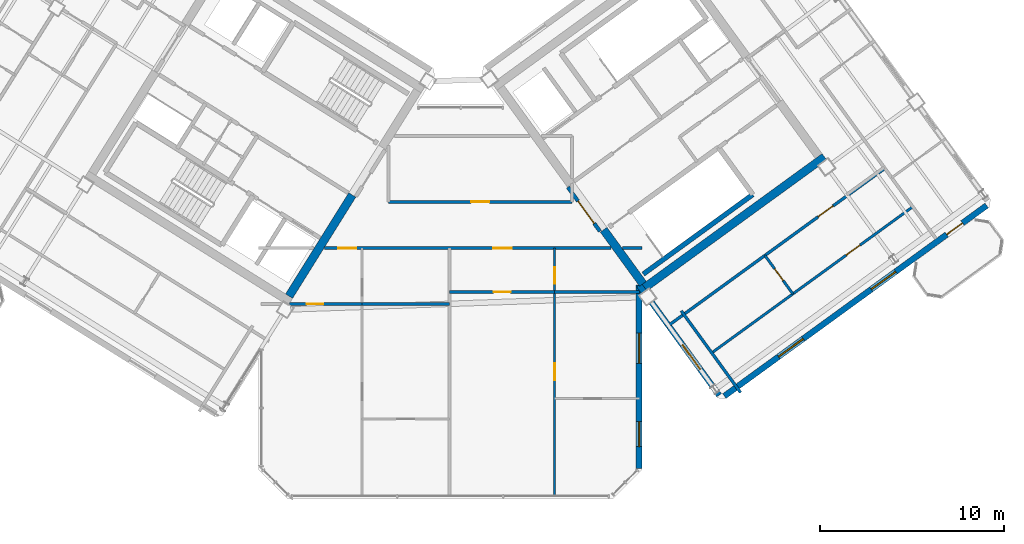
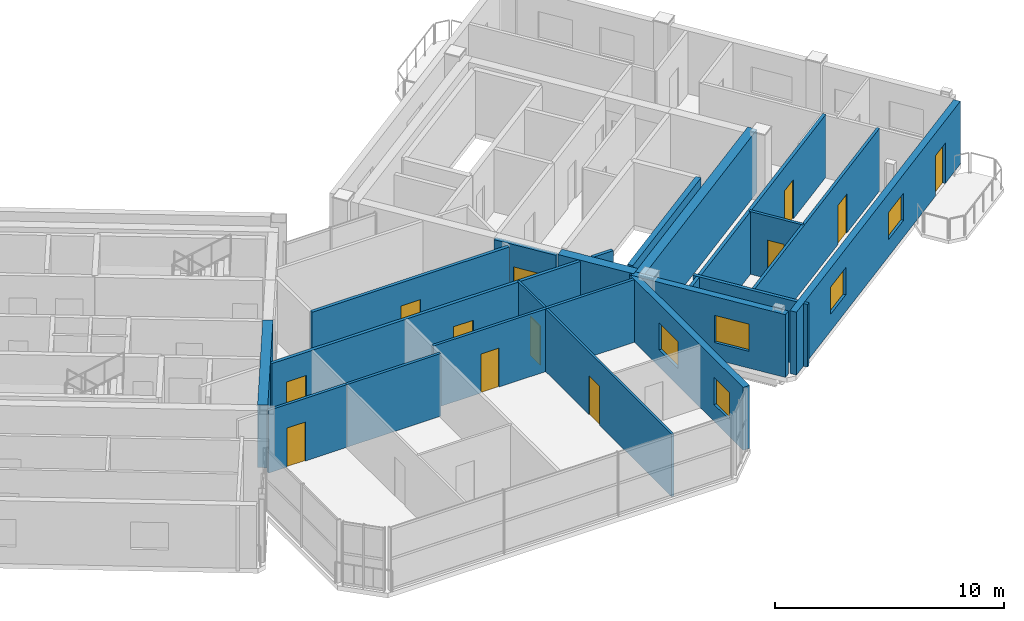
# One storey, part 19 of 25: 20 walls, 12 doors, 5 windows, 17 openings.
"""IFC4 building model written with IfcOpenShell, lengths in metres."""

from ifc_helpers import new_model, si_unit, direction, frame, frame_2d, origin, place, context, subcontext, project, spatial, rectangle, extrude, source, transform, mapped, material, layer, layer_set, type_object, element, fill, save


model = new_model("IFC4")

# Units and contexts
model_context = context("Model", 3, precision=1e-05, world=origin(), true_north=direction((0.0, 1.0)))
body_context = subcontext(model_context, "Body", "Model", "MODEL_VIEW")
ifc_project = project(units=[si_unit("LENGTHUNIT", "METRE"), si_unit("AREAUNIT", "SQUARE_METRE"), si_unit("VOLUMEUNIT", "CUBIC_METRE"), si_unit("PLANEANGLEUNIT", "RADIAN"), si_unit("MASSUNIT", "GRAM", prefix="KILO")], contexts=[model_context])

# Site, building, storey
site_placement = place(None, origin())
site = spatial("IfcSite", under=ifc_project, at=site_placement, CompositionType="ELEMENT")
building_placement = place(site_placement, origin())
building = spatial("IfcBuilding", under=site, at=building_placement, Name="Tlacorven Tower", CompositionType="ELEMENT")
storey_placement = place(building_placement, frame((0.0, 0.0, 259.199951171875)))
storey = spatial("IfcBuildingStorey", under=building, at=storey_placement, Name="L65", CompositionType="ELEMENT", Elevation=259.199951171875)

# Walls
ifc_material_1 = material(Name="Concrete C50/60", Category="concrete")
ifc_layer_1 = layer(ifc_material_1, 0.449951171875)
ifc_layer_set_1 = layer_set([ifc_layer_1], Name="Concrete C50/60")
wall_type_1 = type_object("IfcWallType", Name="WL-COR-450", PredefinedType="SHEAR", material=ifc_layer_set_1)
wall_1_placement = place(storey_placement, frame((36.683349609375, 18.30419921875, 0.0), z_axis=(0.0, 0.0, 1.0), x_axis=(-0.529904039071, -0.848057609704, 0.0)))
element("IfcWall", 1, at=wall_1_placement, inside=storey, type_object=wall_type_1, Name="L65 W core end wall E1.2", PredefinedType="SHEAR", context=body_context, shape_type="SweptSolid", body=[
    extrude(rectangle(XDim=6.47509765625, YDim=0.449951171875, at=frame_2d((3.237548828125, 0.0))), origin(), (0.0, 0.0, 1.0), 3.35009765625),
])
wall_2_placement = place(storey_placement, frame((52.3994140625, 13.169189453125, 0.0), z_axis=(0.0, 0.0, 1.0), x_axis=(0.809022352778, 0.587777877013, 0.0)))
element("IfcWall", 2, at=wall_2_placement, inside=storey, type_object=wall_type_1, Name="L65 E core shear wall S1", PredefinedType="SHEAR", context=body_context, shape_type="SweptSolid", body=[
    extrude(rectangle(XDim=12.239990234375, YDim=0.449951171875, at=frame_2d((6.1201171875, 0.0))), origin(), (0.0, 0.0, 1.0), 3.35009765625),
])
wall_3_placement = place(storey_placement, frame((52.44921875, 13.4833984375, 0.0), z_axis=(0.0, 0.0, 1.0), x_axis=(-0.587819244441, 0.808992296542, 0.0)))
element("IfcWall", 3, at=wall_3_placement, inside=storey, type_object=wall_type_1, Name="L65 E core end wall E1.1", PredefinedType="SHEAR", context=body_context, shape_type="SweptSolid", body=[
    extrude(rectangle(XDim=3.625, YDim=0.449951171875, at=frame_2d((1.8125, 0.0))), origin(), (0.0, 0.0, 1.0), 3.35009765625),
])

# Wall, openings, doors
ifc_material_2 = material(Name="Gypsum plasterboard acoustic partition", Category="gypsum")
ifc_layer_2 = layer(ifc_material_2, 0.159912109375)
ifc_layer_set_2 = layer_set([ifc_layer_2], Name="Gypsum plasterboard acoustic partition")
wall_type_2 = type_object("IfcWallType", Name="WL-DEM-160", PredefinedType="PARTITIONING", material=ifc_layer_set_2)
wall_4_placement = place(storey_placement, frame((35.178466796875, 15.419921875, 0.0), z_axis=(0.0, 0.0, 1.0), x_axis=(1.0, 0.0, 0.0)))
wall_4 = element("IfcWall", 4, at=wall_4_placement, inside=storey, type_object=wall_type_2, Name="L65 Knuckle Corridor South Wall", PredefinedType="PARTITIONING", context=body_context, shape_type="SweptSolid", body=[
    extrude(rectangle(XDim=15.55224609375, YDim=0.159912109375, at=frame_2d((7.776123046875, 0.0))), origin(), (0.0, 0.0, 1.0), 3.340087890625),
])
opening_1_placement = place(wall_4_placement, frame((0.732666015625, 0.0, 0.0)))
opening_1 = element("IfcOpeningElement", 5, at=opening_1_placement, cuts=wall_4, Name="Opening D11", PredefinedType="OPENING", context=body_context, shape_type="SweptSolid", body=[
    extrude(rectangle(XDim=1.0, YDim=2.10009765625, at=frame_2d((0.5, 1.050048828125))), frame((0.0, 0.08984375, 0.0), z_axis=(0.0, -1.0, 0.0), x_axis=(1.0, 0.0, 0.0)), (0.0, 0.0, 1.0), 0.179931640625),
])
opening_2_placement = place(wall_4_placement, frame((9.153076171875, 0.0, 0.0)))
opening_2 = element("IfcOpeningElement", 6, at=opening_2_placement, cuts=wall_4, Name="Opening D11", PredefinedType="OPENING", context=body_context, shape_type="SweptSolid", body=[
    extrude(rectangle(XDim=1.0, YDim=2.10009765625, at=frame_2d((0.5, 1.050048828125))), frame((0.0, 0.08984375, 0.0), z_axis=(0.0, -1.0, 0.0), x_axis=(1.0, 0.0, 0.0)), (0.0, 0.0, 1.0), 0.179931640625),
])
ifc_material_3 = material(Name="Fire-rated steel door assembly", Category="steel")
door_type_1 = type_object("IfcDoorType", Name="DR-FLT-FD60-1000", OperationType="NOTDEFINED", PredefinedType="DOOR", material=ifc_material_3)
shared_shape_1 = source(origin(), body_context, "Body", "SweptSolid", [
    extrude(rectangle(XDim=1.0, YDim=2.10009765625, at=frame_2d((0.5, 1.050048828125))), frame((0.0, 0.02490234375, 0.0), z_axis=(0.0, -1.0, 0.0), x_axis=(1.0, 0.0, 0.0)), (0.0, 0.0, 1.0), 0.050048828125),
])
door_1_placement = place(opening_1_placement, frame((1.0, 0.0, 0.0), z_axis=(0.0, 0.0, 1.0), x_axis=(-1.0, 0.0, 0.0)))
door_1 = element("IfcDoor", 7, at=door_1_placement, inside=storey, type_object=door_type_1, Name="L65 door 052", OperationType="SINGLE_SWING_RIGHT", OverallHeight=2.10009765625, OverallWidth=1.0, PredefinedType="DOOR", context=body_context, shape_type="MappedRepresentation", body=[
    mapped(shared_shape_1, transform((0.0, 0.0, 0.0), scale=1.0)),
])
fill(opening_1, door_1)
door_2_placement = place(opening_2_placement, frame((1.0, 0.0, 0.0), z_axis=(0.0, 0.0, 1.0), x_axis=(-1.0, 0.0, 0.0)))
door_2 = element("IfcDoor", 8, at=door_2_placement, inside=storey, type_object=door_type_1, Name="L65 door 057", OperationType="SINGLE_SWING_LEFT", OverallHeight=2.10009765625, OverallWidth=1.0, PredefinedType="DOOR", context=body_context, shape_type="MappedRepresentation", body=[
    mapped(shared_shape_1, transform((0.0, 0.0, 0.0), scale=1.0)),
])
fill(opening_2, door_2)

# Wall
wall_5_placement = place(storey_placement, frame((51.353515625, 15.419921875, 0.0), z_axis=(0.0, 0.0, 1.0), x_axis=(1.0, 0.0, 0.0)))
element("IfcWall", 9, at=wall_5_placement, inside=storey, type_object=wall_type_2, Name="L65 Knuckle Corridor South Wall", PredefinedType="PARTITIONING", context=body_context, shape_type="SweptSolid", body=[
    extrude(rectangle(XDim=1.04638671875, YDim=0.159912109375, at=frame_2d((0.523193359375, 0.0))), origin(), (0.0, 0.0, 1.0), 3.340087890625),
])

# Wall, opening, door
wall_6_placement = place(storey_placement, frame((38.64990234375, 17.929931640625, 0.0), z_axis=(0.0, 0.0, 1.0), x_axis=(1.0, 0.0, 0.0)))
wall_6 = element("IfcWall", 10, at=wall_6_placement, inside=storey, type_object=wall_type_2, Name="L65 partition 70", PredefinedType="PARTITIONING", context=body_context, shape_type="SweptSolid", body=[
    extrude(rectangle(XDim=9.9501953125, YDim=0.159912109375, at=frame_2d((4.97509765625, 0.0))), origin(), (0.0, 0.0, 1.0), 3.340087890625),
])
opening_3_placement = place(wall_6_placement, frame((4.47509765625, 0.0, 0.0)))
opening_3 = element("IfcOpeningElement", 11, at=opening_3_placement, cuts=wall_6, Name="Opening D11", PredefinedType="OPENING", context=body_context, shape_type="SweptSolid", body=[
    extrude(rectangle(XDim=1.0, YDim=2.10009765625, at=frame_2d((0.5, 1.050048828125))), frame((0.0, 0.08984375, 0.0), z_axis=(0.0, -1.0, 0.0), x_axis=(1.0, 0.0, 0.0)), (0.0, 0.0, 1.0), 0.179931640625),
])
door_3_placement = place(opening_3_placement, origin())
door_3 = element("IfcDoor", 12, at=door_3_placement, inside=storey, type_object=door_type_1, Name="L65 door 047", OperationType="SINGLE_SWING_LEFT", OverallHeight=2.10009765625, OverallWidth=1.0, PredefinedType="DOOR", context=body_context, shape_type="MappedRepresentation", body=[
    mapped(shared_shape_1, transform((0.0, 0.0, 0.0), scale=1.0)),
])
fill(opening_3, door_3)

wall_7_placement = place(storey_placement, frame((53.70458984375, 11.1259765625, 0.0), z_axis=(0.0, 0.0, 1.0), x_axis=(0.809014504436, 0.587788679384, 0.0)))
wall_7 = element("IfcWall", 13, at=wall_7_placement, inside=storey, type_object=wall_type_2, Name="L65 partition 93", PredefinedType="PARTITIONING", context=body_context, shape_type="SweptSolid", body=[
    extrude(rectangle(XDim=14.669921875, YDim=0.159912109375, at=frame_2d((7.3349609375, 0.0))), origin(), (0.0, 0.0, 1.0), 3.340087890625),
])
opening_4_placement = place(wall_7_placement, frame((10.199951171875, 0.0, 0.0)))
opening_4 = element("IfcOpeningElement", 14, at=opening_4_placement, cuts=wall_7, Name="Opening D11", PredefinedType="OPENING", context=body_context, shape_type="SweptSolid", body=[
    extrude(rectangle(XDim=1.0, YDim=2.10009765625, at=frame_2d((0.5, 1.050048828125))), frame((0.0, 0.08984375, 0.0), z_axis=(0.0, -1.0, 0.0), x_axis=(1.0, 0.0, 0.0)), (0.0, 0.0, 1.0), 0.179931640625),
])
door_4_placement = place(opening_4_placement, origin())
door_4 = element("IfcDoor", 15, at=door_4_placement, inside=storey, type_object=door_type_1, Name="L65 door 065", OperationType="SINGLE_SWING_LEFT", OverallHeight=2.10009765625, OverallWidth=1.0, PredefinedType="DOOR", context=body_context, shape_type="MappedRepresentation", body=[
    mapped(shared_shape_1, transform((0.0, 0.0, 0.0), scale=1.0)),
])
fill(opening_4, door_4)

# Wall
wall_8_placement = place(storey_placement, frame((57.747314453125, 7.586181640625, 0.0), z_axis=(0.0, 0.0, 1.0), x_axis=(-0.587784893399, 0.809017255126, 0.0)))
element("IfcWall", 16, at=wall_8_placement, inside=storey, type_object=wall_type_2, Name="L65 EC West Throat Wall", PredefinedType="PARTITIONING", context=body_context, shape_type="SweptSolid", body=[
    extrude(rectangle(XDim=5.480224609375, YDim=0.159912109375, at=frame_2d((2.740234375, 0.0))), origin(), (0.0, 0.0, 1.0), 3.340087890625),
])

# Wall, openings, door, windows
ifc_material_4 = material(Name="Precast concrete C45/55", Category="concrete")
ifc_layer_3 = layer(ifc_material_4, 0.320068359375)
ifc_layer_set_3 = layer_set([ifc_layer_3], Name="Precast concrete C45/55")
wall_type_3 = type_object("IfcWallType", Name="WL-EXT-320", PredefinedType="STANDARD", material=ifc_layer_set_3)
wall_9_placement = place(storey_placement, frame((71.097900390625, 17.73095703125, 0.0), z_axis=(0.0, 0.0, 1.0), x_axis=(-0.809021120468, -0.587779573171, 0.0)))
wall_9 = element("IfcWall", 17, at=wall_9_placement, inside=storey, type_object=wall_type_3, Name="L65 Masonry-Frame Recessed Facade Wall 6", PredefinedType="STANDARD", context=body_context, shape_type="SweptSolid", body=[
    extrude(rectangle(XDim=17.587646484375, YDim=0.320068359375, at=frame_2d((8.7939453125, 0.0))), origin(), (0.0, 0.0, 1.0), 3.35009765625),
])
opening_5_placement = place(wall_9_placement, frame((1.623779296875, 0.0, 0.0)))
opening_5 = element("IfcOpeningElement", 18, at=opening_5_placement, cuts=wall_9, Name="Opening D06", PredefinedType="OPENING", context=body_context, shape_type="SweptSolid", body=[
    extrude(rectangle(XDim=1.050048828125, YDim=2.14990234375, at=frame_2d((0.52490234375, 1.074951171875))), frame((0.0, 0.169921875, 0.0), z_axis=(0.0, -1.0, 0.0), x_axis=(1.0, 0.0, 0.0)), (0.0, 0.0, 1.0), 0.340087890625),
])
opening_6_placement = place(wall_9_placement, frame((6.09375, 0.0, 0.89990234375)))
opening_6 = element("IfcOpeningElement", 19, at=opening_6_placement, cuts=wall_9, Name="Opening WN07", PredefinedType="OPENING", context=body_context, shape_type="SweptSolid", body=[
    extrude(rectangle(XDim=1.64990234375, YDim=1.449951171875, at=frame_2d((0.824951171875, 0.72509765625))), frame((0.0, 0.169921875, 0.0), z_axis=(0.0, -1.0, 0.0), x_axis=(1.0, 0.0, 0.0)), (0.0, 0.0, 1.0), 0.340087890625),
])
opening_7_placement = place(wall_9_placement, frame((12.3037109375, 0.0, 0.89990234375)))
opening_7 = element("IfcOpeningElement", 20, at=opening_7_placement, cuts=wall_9, Name="Opening WN07", PredefinedType="OPENING", context=body_context, shape_type="SweptSolid", body=[
    extrude(rectangle(XDim=1.64990234375, YDim=1.449951171875, at=frame_2d((0.824951171875, 0.72509765625))), frame((0.0, 0.169921875, 0.0), z_axis=(0.0, -1.0, 0.0), x_axis=(1.0, 0.0, 0.0)), (0.0, 0.0, 1.0), 0.340087890625),
])
ifc_material_5 = material(Name="Powder-coated aluminium and timber door", Category="wood")
door_type_2 = type_object("IfcDoorType", Name="DR-EXT-BALC-1050", OperationType="NOTDEFINED", PredefinedType="DOOR", material=ifc_material_5)
shared_shape_2 = source(origin(), body_context, "Body", "SweptSolid", [
    extrude(rectangle(XDim=1.050048828125, YDim=2.14990234375, at=frame_2d((0.52490234375, 1.074951171875))), frame((0.0, 0.02490234375, 0.0), z_axis=(0.0, -1.0, 0.0), x_axis=(1.0, 0.0, 0.0)), (0.0, 0.0, 1.0), 0.050048828125),
])
door_5_placement = place(opening_5_placement, origin())
door_5 = element("IfcDoor", 21, at=door_5_placement, inside=storey, type_object=door_type_2, Name="L65 Outdoor Access Door BAL-L65-E-OUT", OperationType="SINGLE_SWING_LEFT", OverallHeight=2.14990234375, OverallWidth=1.050048828125, PredefinedType="DOOR", context=body_context, shape_type="MappedRepresentation", body=[
    mapped(shared_shape_2, transform((0.0, 0.0, 0.0), scale=1.0)),
])
fill(opening_5, door_5)
ifc_material_6 = material(Name="Dark solar low-E double glazing in anodised aluminium frame", Category="aluminium")
window_type_1 = type_object("IfcWindowType", Name="WN-APT-1650X1600", PartitioningType="SINGLE_PANEL", PredefinedType="WINDOW", material=ifc_material_6)
shared_shape_3 = source(origin(), body_context, "Body", "SweptSolid", [
    extrude(rectangle(XDim=1.64990234375, YDim=1.449951171875, at=frame_2d((0.824951171875, 0.72509765625))), frame((0.0, 0.030029296875, 0.0), z_axis=(0.0, -1.0, 0.0), x_axis=(1.0, 0.0, 0.0)), (0.0, 0.0, 1.0), 0.06005859375),
])
window_1_placement = place(opening_6_placement, origin())
window_1 = element("IfcWindow", 22, at=window_1_placement, inside=storey, type_object=window_type_1, Name="L65 Recessed Masonry-Frame Window L65-06.1", OverallHeight=1.449951171875, OverallWidth=1.64990234375, PartitioningType="SINGLE_PANEL", PredefinedType="WINDOW", context=body_context, shape_type="MappedRepresentation", body=[
    mapped(shared_shape_3, transform((0.0, 0.0, 0.0), scale=1.0)),
])
fill(opening_6, window_1)
window_2_placement = place(opening_7_placement, origin())
window_2 = element("IfcWindow", 23, at=window_2_placement, inside=storey, type_object=window_type_1, Name="L65 Recessed Masonry-Frame Window L65-06.2", OverallHeight=1.449951171875, OverallWidth=1.64990234375, PartitioningType="SINGLE_PANEL", PredefinedType="WINDOW", context=body_context, shape_type="MappedRepresentation", body=[
    mapped(shared_shape_3, transform((0.0, 0.0, 0.0), scale=1.0)),
])
fill(opening_7, window_2)

# Wall, opening, window
wall_10_placement = place(storey_placement, frame((56.5810546875, 7.43896484375, 0.0), z_axis=(0.0, 0.0, 1.0), x_axis=(-0.587776558368, 0.809023310809, 0.0)))
wall_10 = element("IfcWall", 24, at=wall_10_placement, inside=storey, type_object=wall_type_3, Name="L65 Masonry-Frame Recessed Facade Wall 7", PredefinedType="STANDARD", context=body_context, shape_type="SweptSolid", body=[
    extrude(rectangle(XDim=7.385498046875, YDim=0.320068359375, at=frame_2d((3.69287109375, 0.0))), origin(), (0.0, 0.0, 1.0), 3.35009765625),
])
opening_8_placement = place(wall_10_placement, frame((1.731201171875, 0.0, 0.89990234375)))
opening_8 = element("IfcOpeningElement", 25, at=opening_8_placement, cuts=wall_10, Name="Opening WN07", PredefinedType="OPENING", context=body_context, shape_type="SweptSolid", body=[
    extrude(rectangle(XDim=1.64990234375, YDim=1.449951171875, at=frame_2d((0.824951171875, 0.72509765625))), frame((0.0, 0.169921875, 0.0), z_axis=(0.0, -1.0, 0.0), x_axis=(1.0, 0.0, 0.0)), (0.0, 0.0, 1.0), 0.340087890625),
])
window_3_placement = place(opening_8_placement, origin())
window_3 = element("IfcWindow", 26, at=window_3_placement, inside=storey, type_object=window_type_1, Name="L65 Recessed Masonry-Frame Window L65-07.1", OverallHeight=1.449951171875, OverallWidth=1.64990234375, PartitioningType="SINGLE_PANEL", PredefinedType="WINDOW", context=body_context, shape_type="MappedRepresentation", body=[
    mapped(shared_shape_3, transform((0.0, 0.0, 0.0), scale=1.0)),
])
fill(opening_8, window_3)

# Wall, openings, windows
wall_11_placement = place(storey_placement, frame((52.239990234375, 13.4140625, 0.0), z_axis=(0.0, 0.0, 1.0), x_axis=(0.0, -1.0, 0.0)))
wall_11 = element("IfcWall", 27, at=wall_11_placement, inside=storey, type_object=wall_type_3, Name="L65 Masonry-Frame Recessed Facade Wall 8", PredefinedType="STANDARD", context=body_context, shape_type="SweptSolid", body=[
    extrude(rectangle(XDim=9.94775390625, YDim=0.320068359375, at=frame_2d((4.973876953125, 0.0))), origin(), (0.0, 0.0, 1.0), 3.35009765625),
])
opening_9_placement = place(wall_11_placement, frame((2.599853515625, 0.0, 0.89990234375)))
opening_9 = element("IfcOpeningElement", 28, at=opening_9_placement, cuts=wall_11, Name="Opening WN07", PredefinedType="OPENING", context=body_context, shape_type="SweptSolid", body=[
    extrude(rectangle(XDim=1.64990234375, YDim=1.449951171875, at=frame_2d((0.824951171875, 0.72509765625))), frame((0.0, 0.169921875, 0.0), z_axis=(0.0, -1.0, 0.0), x_axis=(1.0, 0.0, 0.0)), (0.0, 0.0, 1.0), 0.340087890625),
])
opening_10_placement = place(wall_11_placement, frame((7.408447265625, 0.0, 0.89990234375)))
opening_10 = element("IfcOpeningElement", 29, at=opening_10_placement, cuts=wall_11, Name="Opening WN08", PredefinedType="OPENING", context=body_context, shape_type="SweptSolid", body=[
    extrude(rectangle(XDim=1.35009765625, YDim=1.449951171875, at=frame_2d((0.675048828125, 0.72509765625))), frame((0.0, 0.169921875, 0.0), z_axis=(0.0, -1.0, 0.0), x_axis=(1.0, 0.0, 0.0)), (0.0, 0.0, 1.0), 0.340087890625),
])
window_4_placement = place(opening_9_placement, origin())
window_4 = element("IfcWindow", 30, at=window_4_placement, inside=storey, type_object=window_type_1, Name="L65 Recessed Masonry-Frame Window L65-08.1", OverallHeight=1.449951171875, OverallWidth=1.64990234375, PartitioningType="SINGLE_PANEL", PredefinedType="WINDOW", context=body_context, shape_type="MappedRepresentation", body=[
    mapped(shared_shape_3, transform((0.0, 0.0, 0.0), scale=1.0)),
])
fill(opening_9, window_4)
window_type_2 = type_object("IfcWindowType", Name="WN-APT-1350X1550", PartitioningType="SINGLE_PANEL", PredefinedType="WINDOW", material=ifc_material_6)
shared_shape_4 = source(origin(), body_context, "Body", "SweptSolid", [
    extrude(rectangle(XDim=1.35009765625, YDim=1.449951171875, at=frame_2d((0.675048828125, 0.72509765625))), frame((0.0, 0.030029296875, 0.0), z_axis=(0.0, -1.0, 0.0), x_axis=(1.0, 0.0, 0.0)), (0.0, 0.0, 1.0), 0.06005859375),
])
window_5_placement = place(opening_10_placement, origin())
window_5 = element("IfcWindow", 31, at=window_5_placement, inside=storey, type_object=window_type_2, Name="L65 Recessed Masonry-Frame Window L65-08.2", OverallHeight=1.449951171875, OverallWidth=1.35009765625, PartitioningType="SINGLE_PANEL", PredefinedType="WINDOW", context=body_context, shape_type="MappedRepresentation", body=[
    mapped(shared_shape_4, transform((0.0, 0.0, 0.0), scale=1.0)),
])
fill(opening_10, window_5)

# Wall, openings, doors
ifc_material_7 = material(Name="Gypsum plasterboard partition", Category="gypsum")
ifc_layer_4 = layer(ifc_material_7, 0.110107421875)
ifc_layer_set_4 = layer_set([ifc_layer_4], Name="Gypsum plasterboard partition")
wall_type_4 = type_object("IfcWallType", Name="WL-INT-110", PredefinedType="PARTITIONING", material=ifc_layer_set_4)
wall_12_placement = place(storey_placement, frame((47.6630859375, 1.9599609375, 0.0), z_axis=(0.0, 0.0, 1.0), x_axis=(0.0, 1.0, 0.0)))
wall_12 = element("IfcWall", 32, at=wall_12_placement, inside=storey, type_object=wall_type_4, Name="L65 partition 80", PredefinedType="PARTITIONING", context=body_context, shape_type="SweptSolid", body=[
    extrude(rectangle(XDim=13.4599609375, YDim=0.110107421875, at=frame_2d((6.72998046875, 0.0))), origin(), (0.0, 0.0, 1.0), 3.340087890625),
])
opening_11_placement = place(wall_12_placement, frame((6.300048828125, 0.0, 0.0)))
opening_11 = element("IfcOpeningElement", 33, at=opening_11_placement, cuts=wall_12, Name="Opening D12", PredefinedType="OPENING", context=body_context, shape_type="SweptSolid", body=[
    extrude(rectangle(XDim=0.919921875, YDim=2.080078125, at=frame_2d((0.4599609375, 1.0400390625))), frame((0.0, 0.06494140625, 0.0), z_axis=(0.0, -1.0, 0.0), x_axis=(1.0, 0.0, 0.0)), (0.0, 0.0, 1.0), 0.130126953125),
])
opening_12_placement = place(wall_12_placement, frame((11.5400390625, 0.0, 0.0)))
opening_12 = element("IfcOpeningElement", 34, at=opening_12_placement, cuts=wall_12, Name="Opening D13", PredefinedType="OPENING", context=body_context, shape_type="SweptSolid", body=[
    extrude(rectangle(XDim=0.8798828125, YDim=2.080078125, at=frame_2d((0.43994140625, 1.0400390625))), frame((0.0, 0.06494140625, 0.0), z_axis=(0.0, -1.0, 0.0), x_axis=(1.0, 0.0, 0.0)), (0.0, 0.0, 1.0), 0.130126953125),
])
door_type_3 = type_object("IfcDoorType", Name="DR-INT-WET-0880", OperationType="NOTDEFINED", PredefinedType="DOOR", material=ifc_material_5)
shared_shape_5 = source(origin(), body_context, "Body", "SweptSolid", [
    extrude(rectangle(XDim=0.8798828125, YDim=2.080078125, at=frame_2d((0.43994140625, 1.0400390625))), frame((0.0, 0.02490234375, 0.0), z_axis=(0.0, -1.0, 0.0), x_axis=(1.0, 0.0, 0.0)), (0.0, 0.0, 1.0), 0.050048828125),
])
door_6_placement = place(opening_12_placement, origin())
door_6 = element("IfcDoor", 35, at=door_6_placement, inside=storey, type_object=door_type_3, Name="L65 door 059", OperationType="SINGLE_SWING_LEFT", OverallHeight=2.080078125, OverallWidth=0.8798828125, PredefinedType="DOOR", context=body_context, shape_type="MappedRepresentation", body=[
    mapped(shared_shape_5, transform((0.0, 0.0, 0.0), scale=1.0)),
])
fill(opening_12, door_6)
door_type_4 = type_object("IfcDoorType", Name="DR-INT-ROOM-0920", OperationType="NOTDEFINED", PredefinedType="DOOR", material=ifc_material_5)
shared_shape_6 = source(origin(), body_context, "Body", "SweptSolid", [
    extrude(rectangle(XDim=0.919921875, YDim=2.080078125, at=frame_2d((0.4599609375, 1.0400390625))), frame((0.0, 0.02490234375, 0.0), z_axis=(0.0, -1.0, 0.0), x_axis=(1.0, 0.0, 0.0)), (0.0, 0.0, 1.0), 0.050048828125),
])
door_7_placement = place(opening_11_placement, origin())
door_7 = element("IfcDoor", 36, at=door_7_placement, inside=storey, type_object=door_type_4, Name="L65 door 055", OperationType="SINGLE_SWING_LEFT", OverallHeight=2.080078125, OverallWidth=0.919921875, PredefinedType="DOOR", context=body_context, shape_type="MappedRepresentation", body=[
    mapped(shared_shape_6, transform((0.0, 0.0, 0.0), scale=1.0)),
])
fill(opening_11, door_7)

# Wall, opening, door
ifc_material_8 = material(Name="Moisture-resistant gypsum plumbing wall", Category="gypsum")
ifc_layer_5 = layer(ifc_material_8, 0.139892578125)
ifc_layer_set_5 = layer_set([ifc_layer_5], Name="Moisture-resistant gypsum plumbing wall")
wall_type_5 = type_object("IfcWallType", Name="WL-PLM-140", PredefinedType="PLUMBINGWALL", material=ifc_layer_set_5)
wall_13_placement = place(storey_placement, frame((33.267333984375, 12.389892578125, 0.0), z_axis=(0.0, 0.0, 1.0), x_axis=(1.0, 0.0, 0.0)))
wall_13 = element("IfcWall", 37, at=wall_13_placement, inside=storey, type_object=wall_type_5, Name="L65 partition 77", PredefinedType="PLUMBINGWALL", context=body_context, shape_type="SweptSolid", body=[
    extrude(rectangle(XDim=3.95458984375, YDim=0.139892578125, at=frame_2d((1.977294921875, 0.0))), origin(), (0.0, 0.0, 1.0), 3.340087890625),
])
opening_13_placement = place(wall_13_placement, frame((0.93359375, 0.0, 0.0)))
opening_13 = element("IfcOpeningElement", 38, at=opening_13_placement, cuts=wall_13, Name="Opening D12", PredefinedType="OPENING", context=body_context, shape_type="SweptSolid", body=[
    extrude(rectangle(XDim=0.919921875, YDim=2.080078125, at=frame_2d((0.4599609375, 1.0400390625))), frame((0.0, 0.080078125, 0.0), z_axis=(0.0, -1.0, 0.0), x_axis=(1.0, 0.0, 0.0)), (0.0, 0.0, 1.0), 0.159912109375),
])
door_8_placement = place(opening_13_placement, frame((0.919921875, 0.0, 0.0), z_axis=(0.0, 0.0, 1.0), x_axis=(-1.0, 0.0, 0.0)))
door_8 = element("IfcDoor", 39, at=door_8_placement, inside=storey, type_object=door_type_4, Name="L65 door 053", OperationType="SINGLE_SWING_RIGHT", OverallHeight=2.080078125, OverallWidth=0.919921875, PredefinedType="DOOR", context=body_context, shape_type="MappedRepresentation", body=[
    mapped(shared_shape_6, transform((0.0, 0.0, 0.0), scale=1.0)),
])
fill(opening_13, door_8)

# Wall
wall_14_placement = place(storey_placement, frame((37.221923828125, 12.389892578125, 0.0), z_axis=(0.0, 0.0, 1.0), x_axis=(1.0, 0.0, 0.0)))
element("IfcWall", 40, at=wall_14_placement, inside=storey, type_object=wall_type_5, Name="L65 partition 78", PredefinedType="PLUMBINGWALL", context=body_context, shape_type="SweptSolid", body=[
    extrude(rectangle(XDim=4.72802734375, YDim=0.139892578125, at=frame_2d((2.364013671875, 0.0))), origin(), (0.0, 0.0, 1.0), 3.340087890625),
])

# Wall, opening, door
wall_15_placement = place(storey_placement, frame((41.949951171875, 13.0400390625, 0.0), z_axis=(0.0, 0.0, 1.0), x_axis=(1.0, 0.0, 0.0)))
wall_15 = element("IfcWall", 41, at=wall_15_placement, inside=storey, type_object=wall_type_5, Name="L65 partition 81", PredefinedType="PLUMBINGWALL", context=body_context, shape_type="SweptSolid", body=[
    extrude(rectangle(XDim=5.713134765625, YDim=0.139892578125, at=frame_2d((2.8564453125, 0.0))), origin(), (0.0, 0.0, 1.0), 3.340087890625),
])
opening_14_placement = place(wall_15_placement, frame((2.396484375, 0.0, 0.0)))
opening_14 = element("IfcOpeningElement", 42, at=opening_14_placement, cuts=wall_15, Name="Opening D12", PredefinedType="OPENING", context=body_context, shape_type="SweptSolid", body=[
    extrude(rectangle(XDim=0.919921875, YDim=2.080078125, at=frame_2d((0.4599609375, 1.0400390625))), frame((0.0, 0.080078125, 0.0), z_axis=(0.0, -1.0, 0.0), x_axis=(1.0, 0.0, 0.0)), (0.0, 0.0, 1.0), 0.159912109375),
])
door_9_placement = place(opening_14_placement, frame((0.919921875, 0.0, 0.0), z_axis=(0.0, 0.0, 1.0), x_axis=(-1.0, 0.0, 0.0)))
door_9 = element("IfcDoor", 43, at=door_9_placement, inside=storey, type_object=door_type_4, Name="L65 door 058", OperationType="SINGLE_SWING_RIGHT", OverallHeight=2.080078125, OverallWidth=0.919921875, PredefinedType="DOOR", context=body_context, shape_type="MappedRepresentation", body=[
    mapped(shared_shape_6, transform((0.0, 0.0, 0.0), scale=1.0)),
])
fill(opening_14, door_9)

# Wall
wall_16_placement = place(storey_placement, frame((47.6630859375, 13.0400390625, 0.0), z_axis=(0.0, 0.0, 1.0), x_axis=(1.0, 0.0, 0.0)))
element("IfcWall", 44, at=wall_16_placement, inside=storey, type_object=wall_type_5, Name="L65 partition 82", PredefinedType="PLUMBINGWALL", context=body_context, shape_type="SweptSolid", body=[
    extrude(rectangle(XDim=4.596923828125, YDim=0.139892578125, at=frame_2d((2.29833984375, 0.0))), origin(), (0.0, 0.0, 1.0), 3.340087890625),
])

# Wall, opening, door
wall_17_placement = place(storey_placement, frame((56.24853515625, 9.78515625, 0.0), z_axis=(0.0, 0.0, 1.0), x_axis=(0.809011747655, 0.587792473715, 0.0)))
wall_17 = element("IfcWall", 45, at=wall_17_placement, inside=storey, type_object=wall_type_5, Name="L65 partition 95", PredefinedType="PLUMBINGWALL", context=body_context, shape_type="SweptSolid", body=[
    extrude(rectangle(XDim=13.400146484375, YDim=0.139892578125, at=frame_2d((6.7001953125, 0.0))), origin(), (0.0, 0.0, 1.0), 3.340087890625),
])
opening_15_placement = place(wall_17_placement, frame((8.93994140625, 0.0, 0.0)))
opening_15 = element("IfcOpeningElement", 46, at=opening_15_placement, cuts=wall_17, Name="Opening D12", PredefinedType="OPENING", context=body_context, shape_type="SweptSolid", body=[
    extrude(rectangle(XDim=0.919921875, YDim=2.080078125, at=frame_2d((0.4599609375, 1.0400390625))), frame((0.0, 0.080078125, 0.0), z_axis=(0.0, -1.0, 0.0), x_axis=(1.0, 0.0, 0.0)), (0.0, 0.0, 1.0), 0.159912109375),
])
door_10_placement = place(opening_15_placement, origin())
door_10 = element("IfcDoor", 47, at=door_10_placement, inside=storey, type_object=door_type_4, Name="L65 door 066", OperationType="SINGLE_SWING_RIGHT", OverallHeight=2.080078125, OverallWidth=0.919921875, PredefinedType="DOOR", context=body_context, shape_type="MappedRepresentation", body=[
    mapped(shared_shape_6, transform((0.0, 0.0, 0.0), scale=1.0)),
])
fill(opening_15, door_10)

wall_18_placement = place(storey_placement, frame((60.584716796875, 12.935791015625, 0.0), z_axis=(0.0, 0.0, 1.0), x_axis=(-0.587772116736, 0.809026537752, 0.0)))
wall_18 = element("IfcWall", 48, at=wall_18_placement, inside=storey, type_object=wall_type_5, Name="L65 partition 96", PredefinedType="PLUMBINGWALL", context=body_context, shape_type="SweptSolid", body=[
    extrude(rectangle(XDim=2.579833984375, YDim=0.139892578125, at=frame_2d((1.2900390625, 0.0))), origin(), (0.0, 0.0, 1.0), 3.340087890625),
])
opening_16_placement = place(wall_18_placement, frame((0.89990234375, 0.0, 0.0)))
opening_16 = element("IfcOpeningElement", 49, at=opening_16_placement, cuts=wall_18, Name="Opening D22", PredefinedType="OPENING", context=body_context, shape_type="SweptSolid", body=[
    extrude(rectangle(XDim=0.780029296875, YDim=2.050048828125, at=frame_2d((0.39013671875, 1.02490234375))), frame((0.0, 0.080078125, 0.0), z_axis=(0.0, -1.0, 0.0), x_axis=(1.0, 0.0, 0.0)), (0.0, 0.0, 1.0), 0.159912109375),
])
door_type_5 = type_object("IfcDoorType", Name="DR-INT-WET-0780", OperationType="NOTDEFINED", PredefinedType="DOOR", material=ifc_material_5)
shared_shape_7 = source(origin(), body_context, "Body", "SweptSolid", [
    extrude(rectangle(XDim=0.780029296875, YDim=2.050048828125, at=frame_2d((0.39013671875, 1.02490234375))), frame((0.0, 0.02490234375, 0.0), z_axis=(0.0, -1.0, 0.0), x_axis=(1.0, 0.0, 0.0)), (0.0, 0.0, 1.0), 0.050048828125),
])
door_11_placement = place(opening_16_placement, origin())
door_11 = element("IfcDoor", 50, at=door_11_placement, inside=storey, type_object=door_type_5, Name="L65 door 067", OperationType="SINGLE_SWING_LEFT", OverallHeight=2.050048828125, OverallWidth=0.780029296875, PredefinedType="DOOR", context=body_context, shape_type="MappedRepresentation", body=[
    mapped(shared_shape_7, transform((0.0, 0.0, 0.0), scale=1.0)),
])
fill(opening_16, door_11)

ifc_material_9 = material(Name="Concrete C40/50", Category="concrete")
ifc_layer_6 = layer(ifc_material_9, 0.199951171875)
ifc_layer_set_6 = layer_set([ifc_layer_6], Name="Concrete C40/50")
wall_type_6 = type_object("IfcWallType", Name="WL-SHF-200", PredefinedType="STANDARD", material=ifc_layer_set_6)
wall_19_placement = place(storey_placement, frame((50.119140625, 16.3330078125, 0.0), z_axis=(0.0, 0.0, 1.0), x_axis=(-0.587749856981, 0.809042709391, 0.0)))
wall_19 = element("IfcWall", 51, at=wall_19_placement, inside=storey, type_object=wall_type_6, Name="L65 partition 74", PredefinedType="STANDARD", context=body_context, shape_type="SweptSolid", body=[
    extrude(rectangle(XDim=2.9599609375, YDim=0.199951171875, at=frame_2d((1.47998046875, 0.0))), origin(), (0.0, 0.0, 1.0), 3.340087890625),
])
opening_17_placement = place(wall_19_placement, frame((0.530029296875, 0.0, 0.0)))
opening_17 = element("IfcOpeningElement", 52, at=opening_17_placement, cuts=wall_19, Name="Opening D10", PredefinedType="OPENING", context=body_context, shape_type="SweptSolid", body=[
    extrude(rectangle(XDim=1.5, YDim=2.14990234375, at=frame_2d((0.75, 1.074951171875))), frame((0.0, 0.10986328125, 0.0), z_axis=(0.0, -1.0, 0.0), x_axis=(1.0, 0.0, 0.0)), (0.0, 0.0, 1.0), 0.219970703125),
])
door_type_6 = type_object("IfcDoorType", Name="DR-LOB-FD60-1500", OperationType="DOUBLE_DOOR_SINGLE_SWING", PredefinedType="DOOR", material=ifc_material_3)
shared_shape_8 = source(origin(), body_context, "Body", "SweptSolid", [
    extrude(rectangle(XDim=1.5, YDim=2.14990234375, at=frame_2d((0.75, 1.074951171875))), frame((0.0, 0.02490234375, 0.0), z_axis=(0.0, -1.0, 0.0), x_axis=(1.0, 0.0, 0.0)), (0.0, 0.0, 1.0), 0.050048828125),
])
door_12_placement = place(opening_17_placement, frame((1.5, 0.0, 0.0), z_axis=(0.0, 0.0, 1.0), x_axis=(-1.0, 0.0, 0.0)))
door_12 = element("IfcDoor", 53, at=door_12_placement, inside=storey, type_object=door_type_6, Name="L65 door 049", OperationType="DOUBLE_DOOR_SINGLE_SWING", OverallHeight=2.14990234375, OverallWidth=1.5, PredefinedType="DOOR", context=body_context, shape_type="MappedRepresentation", body=[
    mapped(shared_shape_8, transform((0.0, 0.0, 0.0), scale=1.0)),
])
fill(opening_17, door_12)

# Wall
ifc_layer_7 = layer(ifc_material_1, 0.260009765625)
ifc_layer_set_7 = layer_set([ifc_layer_7], Name="Concrete C50/60")
wall_type_7 = type_object("IfcWallType", Name="WL-STW-260", PredefinedType="SHEAR", material=ifc_layer_set_7)
wall_20_placement = place(storey_placement, frame((52.47216796875, 14.01318359375, 0.0), z_axis=(0.0, 0.0, 1.0), x_axis=(0.809028366311, 0.587769599847, 0.0)))
element("IfcWall", 54, at=wall_20_placement, inside=storey, type_object=wall_type_7, Name="L65 Stair E2 Far Shear Wall", PredefinedType="SHEAR", context=body_context, shape_type="SweptSolid", body=[
    extrude(rectangle(XDim=7.330078125, YDim=0.260009765625, at=frame_2d((3.6650390625, 0.0))), origin(), (0.0, 0.0, 1.0), 3.35009765625),
])

save(model, "model.ifc")
